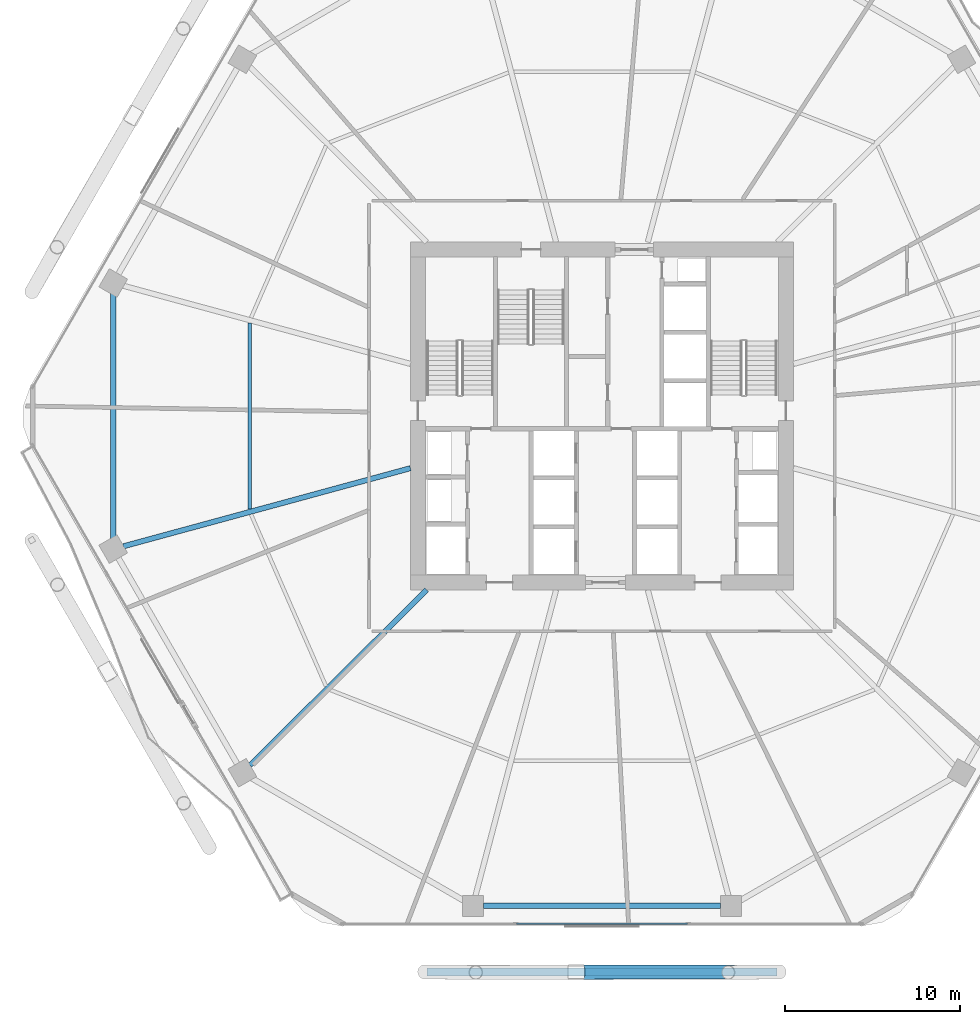
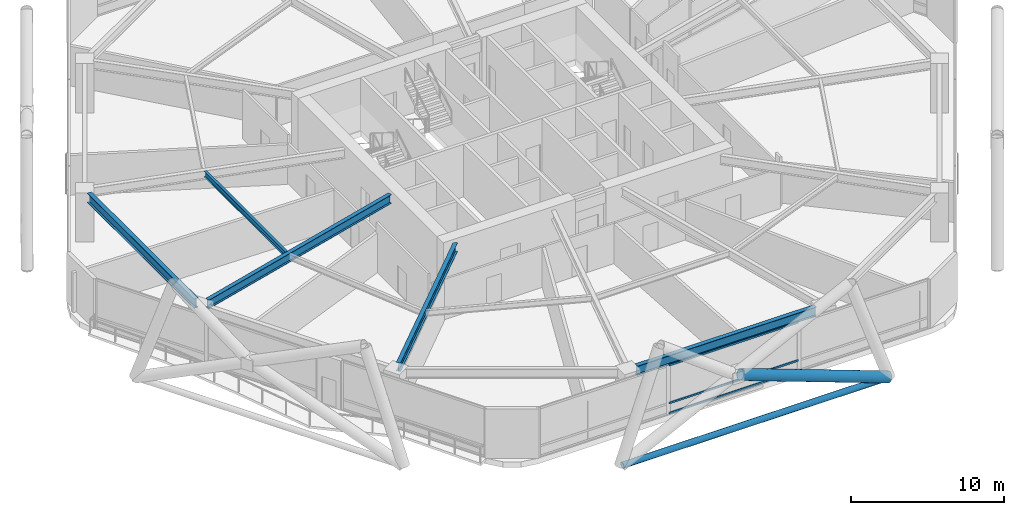
# One storey, part 6 of 31: 5 beams, 5 members, 1 element without a shape of its own.
"""IFC4 building model written with IfcOpenShell, lengths in metres."""

from ifc_helpers import new_model, si_unit, direction, frame, origin, origin_2d, place, context, subcontext, project, spatial, hollow_rectangle, hollow_circle, i_section, extrude, material, material_profile, profile_set, type_object, element, aggregate, save


model = new_model("IFC4")

# Units and contexts
model_context = context("Model", 3, precision=1e-05, world=origin(), true_north=direction((0.0, 1.0)))
body_context = subcontext(model_context, "Body", "Model", "MODEL_VIEW")
ifc_project = project(units=[si_unit("LENGTHUNIT", "METRE"), si_unit("AREAUNIT", "SQUARE_METRE"), si_unit("VOLUMEUNIT", "CUBIC_METRE"), si_unit("PLANEANGLEUNIT", "RADIAN"), si_unit("MASSUNIT", "GRAM", prefix="KILO")], contexts=[model_context])

# Site, building, storey
site_placement = place(None, origin())
site = spatial("IfcSite", under=ifc_project, at=site_placement, CompositionType="ELEMENT")
building_placement = place(site_placement, origin())
building = spatial("IfcBuilding", under=site, at=building_placement, Name="Zuhravey Tower", CompositionType="ELEMENT")
storey_placement = place(building_placement, frame((0.0, 0.0, 7.800048828125)))
storey = spatial("IfcBuildingStorey", under=building, at=storey_placement, Name="L02", CompositionType="ELEMENT", Elevation=7.800048828125)

# Curtain wall, members
ifc_material_1 = material(Name="Thermally broken anodised aluminium", Category="aluminium")
curtain_wall_type = type_object("IfcCurtainWallType", Name="School Low-E Unitised Curtain Wall CW1", PredefinedType="NOTDEFINED", material=ifc_material_1)
curtain_wall_placement = place(storey_placement, origin())
curtain_wall = element("IfcCurtainWall", 1, at=curtain_wall_placement, inside=storey, type_object=curtain_wall_type, Name="L02 CW1 CW-L02-F5-1", PredefinedType="NOTDEFINED")
ifc_material_2 = material(Name="Anodised aluminium", Category="aluminium")
ifc_material_profile_1 = material_profile(ifc_material_2, hollow_rectangle(XDim=0.090087890625, YDim=0.14990234375, WallThickness=0.0048828125, at=origin_2d()), Name="ALU-RHS-90x150x5")
ifc_profile_set_1 = profile_set([ifc_material_profile_1], Name="Anodised aluminium")
member_type_1 = type_object("IfcMemberType", Name="Curtain-Wall Transom 90x150", PredefinedType="USERDEFINED", material=ifc_profile_set_1)
member_1_placement = place(storey_placement, frame((40.88818359375, 3.04150390625, 0.044921875), z_axis=(-1.0, 0.0, 0.0), x_axis=(0.0, -1.0, 0.0)))
member_1 = element("IfcMember", 2, at=member_1_placement, type_object=member_type_1, Name="CW1 transom 2.1", ObjectType="TRANSOM", PredefinedType="USERDEFINED", context=body_context, shape_type="SweptSolid", body=[
    extrude(hollow_rectangle(XDim=0.090087890625, YDim=0.14990234375, WallThickness=0.0048828125, at=origin_2d()), origin(), (0.0, 0.0, 1.0), 9.7763671875),
])
member_2_placement = place(storey_placement, frame((40.88818359375, 3.04150390625, 0.849853515625), z_axis=(-1.0, 0.0, 0.0), x_axis=(0.0, -1.0, 0.0)))
member_2 = element("IfcMember", 3, at=member_2_placement, type_object=member_type_1, Name="CW1 transom 2.2", ObjectType="TRANSOM", PredefinedType="USERDEFINED", context=body_context, shape_type="SweptSolid", body=[
    extrude(hollow_rectangle(XDim=0.090087890625, YDim=0.14990234375, WallThickness=0.0048828125, at=origin_2d()), origin(), (0.0, 0.0, 1.0), 9.7763671875),
])
member_3_placement = place(storey_placement, frame((40.88818359375, 3.04150390625, 3.875), z_axis=(-1.0, 0.0, 0.0), x_axis=(0.0, -1.0, 0.0)))
member_3 = element("IfcMember", 4, at=member_3_placement, type_object=member_type_1, Name="CW1 transom 2.3", ObjectType="TRANSOM", PredefinedType="USERDEFINED", context=body_context, shape_type="SweptSolid", body=[
    extrude(hollow_rectangle(XDim=0.090087890625, YDim=0.14990234375, WallThickness=0.0048828125, at=origin_2d()), origin(), (0.0, 0.0, 1.0), 9.7763671875),
])
aggregate(curtain_wall, [member_1, member_2, member_3])

# Members
ifc_material_3 = material(Name="Steel SM355", Category="steel")
ifc_material_profile_2 = material_profile(ifc_material_3, hollow_circle(Radius=0.228515625, WallThickness=0.02197265625, at=origin_2d()), Name="CHS-457.2x22")
ifc_profile_set_2 = profile_set([ifc_material_profile_2], Name="Steel SM355")
member_type_2 = type_object("IfcMemberType", Name="Exoskeleton Ring Tie CHS457x22", PredefinedType="CHORD", material=ifc_profile_set_2)
member_4_placement = place(storey_placement, frame((26.003173828125, 0.281494140625, -0.6640625), z_axis=(1.0, 0.0, 0.0), x_axis=(0.0, 1.0, 0.0)))
element("IfcMember", 5, at=member_4_placement, inside=storey, type_object=member_type_2, Name="L02 Exoskeleton Face 5 Tie EXR1", PredefinedType="CHORD", context=body_context, shape_type="SweptSolid", body=[
    extrude(hollow_circle(Radius=0.228515625, WallThickness=0.02197265625, at=origin_2d()), origin(), (0.0, 0.0, 1.0), 19.99365234375),
])
ifc_material_4 = material(Name="Steel SM460", Category="steel")
ifc_material_profile_3 = material_profile(ifc_material_4, hollow_circle(Radius=0.406494140625, WallThickness=0.035888671875, at=origin_2d()), Name="CHS-812.8x36")
ifc_profile_set_3 = profile_set([ifc_material_profile_3], Name="Steel SM460")
member_type_3 = type_object("IfcMemberType", Name="Exoskeleton Zone 1 Diagrid CHS813x36", PredefinedType="BRACE", material=ifc_profile_set_3)
member_5_placement = place(storey_placement, frame((46.09033203125, 0.281494140625, -0.64697265625), z_axis=(-0.938124538263, -0.001207604568, 0.346295960703), x_axis=(0.001287252937, -0.99999917149, 0.0)))
element("IfcMember", 6, at=member_5_placement, inside=storey, type_object=member_type_3, Name="L02 Face 5 Split Diagrid Brace 3A", PredefinedType="BRACE", context=body_context, shape_type="SweptSolid", body=[
    extrude(hollow_circle(Radius=0.406494140625, WallThickness=0.035888671875, at=origin_2d()), origin(), (0.0, 0.0, 1.0), 11.927978515625),
])

# Beams
ifc_material_profile_4 = material_profile(ifc_material_3, i_section(OverallWidth=0.320068359375, OverallDepth=0.75, WebThickness=0.013916015625, FlangeThickness=0.02490234375, at=origin_2d()), Name="H-750x320x14x25")
ifc_profile_set_4 = profile_set([ifc_material_profile_4], Name="Steel SM355")
beam_type_1 = type_object("IfcBeamType", Name="Perimeter Ring Beam H750x320", PredefinedType="BEAM", material=ifc_profile_set_4)
beam_1_placement = place(storey_placement, frame((8.11083984375, 38.988525390625, 3.544921875), z_axis=(0.0, -1.0, 0.0), x_axis=(1.0, 0.0, 0.0)))
element("IfcBeam", 7, at=beam_1_placement, inside=storey, type_object=beam_type_1, Name="L02 PB1 BM-L02-PB-06", PredefinedType="BEAM", context=body_context, shape_type="SweptSolid", body=[
    extrude(i_section(OverallWidth=0.320068359375, OverallDepth=0.75, WebThickness=0.013916015625, FlangeThickness=0.02490234375, at=origin_2d()), origin(), (0.0, 0.0, 1.0), 13.97705078125),
])
beam_2_placement = place(storey_placement, frame((29.23291015625, 4.051513671875, 3.544921875), z_axis=(1.0, 0.0, 0.0), x_axis=(0.0, 1.0, 0.0)))
element("IfcBeam", 8, at=beam_2_placement, inside=storey, type_object=beam_type_1, Name="L02 PB1 BM-L02-PB-09", PredefinedType="BEAM", context=body_context, shape_type="SweptSolid", body=[
    extrude(i_section(OverallWidth=0.320068359375, OverallDepth=0.75, WebThickness=0.013916015625, FlangeThickness=0.02490234375, at=origin_2d()), origin(), (0.0, 0.0, 1.0), 13.5341796875),
])
ifc_material_profile_5 = material_profile(ifc_material_3, i_section(OverallWidth=0.300048828125, OverallDepth=0.699951171875, WebThickness=0.012939453125, FlangeThickness=0.02392578125, at=origin_2d()), Name="H-700x300x13x24")
ifc_profile_set_5 = profile_set([ifc_material_profile_5], Name="Steel SM355")
beam_type_2 = type_object("IfcBeamType", Name="Radial Primary Girder H700x300", PredefinedType="BEAM", material=ifc_profile_set_5)
beam_3_placement = place(storey_placement, frame((25.072021484375, 29.025390625, 3.570068359375), z_axis=(-0.964892480455, -0.26264520015, 0.0), x_axis=(0.26264520015, -0.964892480455, 0.0)))
element("IfcBeam", 9, at=beam_3_placement, inside=storey, type_object=beam_type_2, Name="L02 RG1 BM-L02-RAD-07", PredefinedType="BEAM", context=body_context, shape_type="SweptSolid", body=[
    extrude(i_section(OverallWidth=0.300048828125, OverallDepth=0.699951171875, WebThickness=0.012939453125, FlangeThickness=0.02392578125, at=origin_2d()), origin(), (0.0, 0.0, 1.0), 16.975341796875),
])
beam_4_placement = place(storey_placement, frame((25.992919921875, 22.072021484375, 3.570068359375), z_axis=(-0.709902823282, -0.704299639, 0.0), x_axis=(0.704299639, -0.709902823282, 0.0)))
element("IfcBeam", 10, at=beam_4_placement, inside=storey, type_object=beam_type_2, Name="L02 RG1 BM-L02-RAD-08", PredefinedType="BEAM", context=body_context, shape_type="SweptSolid", body=[
    extrude(i_section(OverallWidth=0.300048828125, OverallDepth=0.699951171875, WebThickness=0.012939453125, FlangeThickness=0.02392578125, at=origin_2d()), origin(), (0.0, 0.0, 1.0), 14.204345703125),
])
ifc_material_profile_6 = material_profile(ifc_material_3, i_section(OverallWidth=0.199951171875, OverallDepth=0.449951171875, WebThickness=0.009033203125, FlangeThickness=0.013916015625, at=origin_2d()), Name="H-450x200x9x14")
ifc_profile_set_6 = profile_set([ifc_material_profile_6], Name="Steel SM355")
beam_type_3 = type_object("IfcBeamType", Name="Secondary Floor Joist H450x200", PredefinedType="JOIST", material=ifc_profile_set_6)
beam_5_placement = place(storey_placement, frame((15.9130859375, 37.313720703125, 3.695068359375), z_axis=(0.0, -1.0, 0.0), x_axis=(1.0, 0.0, 0.0)))
element("IfcBeam", 11, at=beam_5_placement, inside=storey, type_object=beam_type_3, Name="L02 SJ1 BM-L02-SJ-06-1", PredefinedType="JOIST", context=body_context, shape_type="SweptSolid", body=[
    extrude(i_section(OverallWidth=0.199951171875, OverallDepth=0.449951171875, WebThickness=0.009033203125, FlangeThickness=0.013916015625, at=origin_2d()), origin(), (0.0, 0.0, 1.0), 10.62744140625),
])

save(model, "model.ifc")
